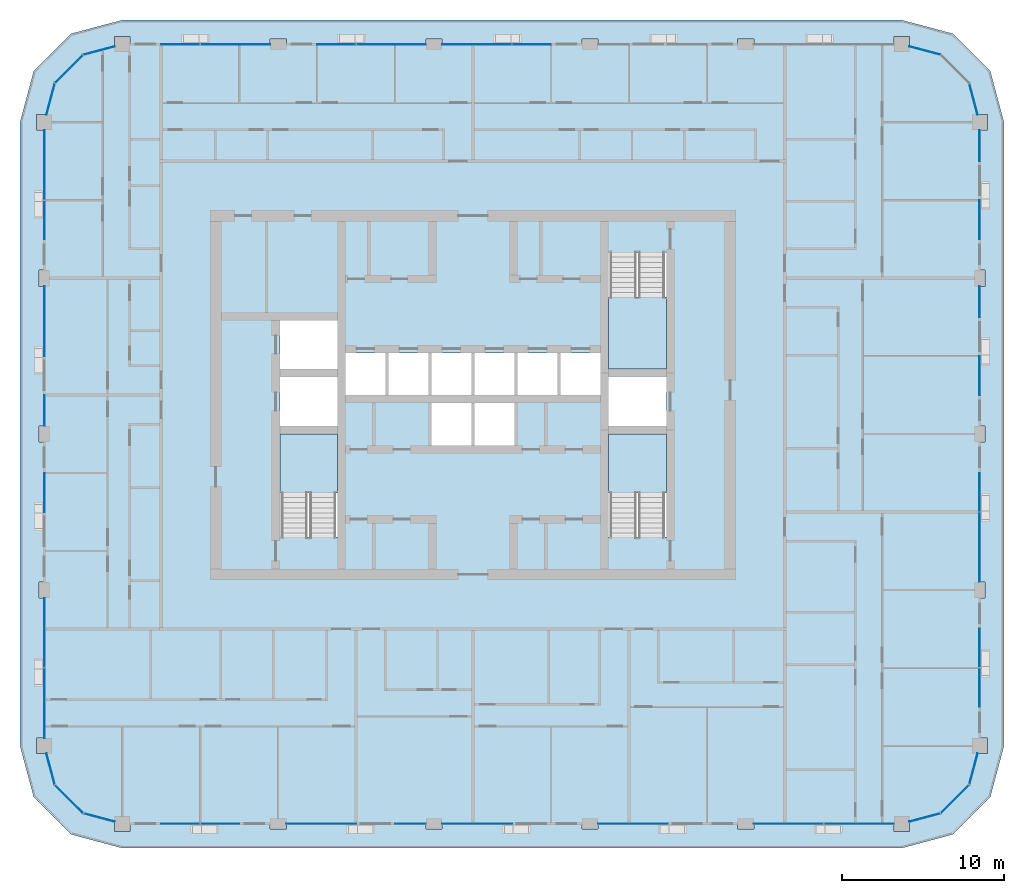
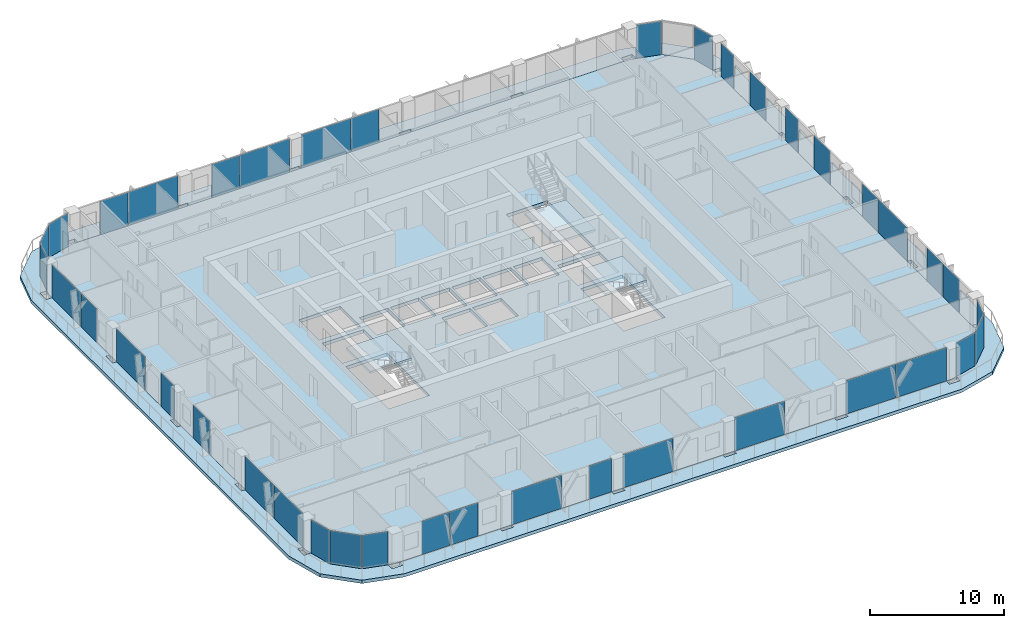
# One storey, part 7 of 22: 40 plates, 5 slabs, 23 elements without a shape of their own.
"""IFC4 building model written with IfcOpenShell, lengths in metres."""

from ifc_helpers import new_model, si_unit, direction, frame, origin, origin_2d, place, context, subcontext, project, spatial, polyline, rectangle, outline, extrude, material, layer, layer_set, type_object, element, aggregate, save


model = new_model("IFC4")

# Units and contexts
model_context = context("Model", 3, precision=1e-05, world=origin(), true_north=direction((0.0, 1.0)))
body_context = subcontext(model_context, "Body", "Model", "MODEL_VIEW")
ifc_project = project(units=[si_unit("LENGTHUNIT", "METRE"), si_unit("AREAUNIT", "SQUARE_METRE"), si_unit("VOLUMEUNIT", "CUBIC_METRE"), si_unit("PLANEANGLEUNIT", "RADIAN"), si_unit("MASSUNIT", "GRAM", prefix="KILO")], contexts=[model_context])

# Site, building, storey
site_placement = place(None, origin())
site = spatial("IfcSite", under=ifc_project, at=site_placement, CompositionType="ELEMENT")
building_placement = place(site_placement, origin())
building = spatial("IfcBuilding", under=site, at=building_placement, Name="Madar Terraces", CompositionType="ELEMENT")
storey_placement = place(building_placement, frame((0.0, 0.0, 199.89990234375)))
storey = spatial("IfcBuildingStorey", under=building, at=storey_placement, Name="L52", CompositionType="ELEMENT", Elevation=199.89990234375)

# Slabs
ifc_material_1 = material(Name="Concrete C50/60", Category="concrete")
ifc_layer_1 = layer(ifc_material_1, 0.300048828125)
ifc_layer_set_1 = layer_set([ifc_layer_1], Name="Balcony band 300")
slab_type_1 = type_object("IfcSlabType", Name="Balcony band 300", PredefinedType="FLOOR", material=ifc_layer_set_1)
slab_1_placement = place(storey_placement, frame((0.0, 0.0, -0.2998046875)))
element("IfcSlab", 1, at=slab_1_placement, inside=storey, type_object=slab_type_1, Name="Balcony band", PredefinedType="FLOOR", context=body_context, shape_type="SweptSolid", body=[
    extrude(outline(polyline([(9.60009765625, -1.5), (6.449951171875, -0.656005859375), (4.14404296875, 1.64990234375), (3.300048828125, 4.800048828125), (3.300048828125, 43.199951171875), (4.14404296875, 46.35009765625), (6.449951171875, 48.656005859375), (9.60009765625, 49.5), (57.60009765625, 49.5), (60.75, 48.656005859375), (63.055908203125, 46.35009765625), (63.89990234375, 43.199951171875), (63.89990234375, 4.800048828125), (63.055908203125, 1.64990234375), (60.75, -0.656005859375), (57.60009765625, -1.5), (9.60009765625, -1.5)]), holes=[polyline([(10.074951171875, -0.47509765625), (10.074951171875, 0.0), (18.699951171875, 0.0), (18.699951171875, -0.324951171875), (19.699951171875, -0.324951171875), (19.699951171875, 0.0), (28.300048828125, 0.0), (28.300048828125, -0.324951171875), (29.300048828125, -0.324951171875), (29.300048828125, 0.0), (37.89990234375, 0.0), (37.89990234375, -0.324951171875), (38.89990234375, -0.324951171875), (38.89990234375, 0.0), (47.5, 0.0), (47.5, -0.324951171875), (48.5, -0.324951171875), (48.5, 0.0), (57.125, 0.0), (57.125, -0.47509765625), (58.074951171875, -0.47509765625), (58.074951171875, 0.127197265625), (60.0, 0.64306640625), (61.7568359375, 2.39990234375), (62.272705078125, 4.324951171875), (62.875, 4.324951171875), (62.875, 5.27490234375), (62.39990234375, 5.27490234375), (62.39990234375, 13.89990234375), (62.72509765625, 13.89990234375), (62.72509765625, 14.89990234375), (62.39990234375, 14.89990234375), (62.39990234375, 23.5), (62.72509765625, 23.5), (62.72509765625, 24.5), (62.39990234375, 24.5), (62.39990234375, 33.10009765625), (62.72509765625, 33.10009765625), (62.72509765625, 34.10009765625), (62.39990234375, 34.10009765625), (62.39990234375, 42.72509765625), (62.875, 42.72509765625), (62.875, 43.675048828125), (62.272705078125, 43.675048828125), (61.7568359375, 45.60009765625), (60.0, 47.35693359375), (58.074951171875, 47.872802734375), (58.074951171875, 48.47509765625), (57.125, 48.47509765625), (57.125, 48.0), (48.5, 48.0), (48.5, 48.324951171875), (47.5, 48.324951171875), (47.5, 48.0), (38.89990234375, 48.0), (38.89990234375, 48.324951171875), (37.89990234375, 48.324951171875), (37.89990234375, 48.0), (29.300048828125, 48.0), (29.300048828125, 48.324951171875), (28.300048828125, 48.324951171875), (28.300048828125, 48.0), (19.699951171875, 48.0), (19.699951171875, 48.324951171875), (18.699951171875, 48.324951171875), (18.699951171875, 48.0), (10.074951171875, 48.0), (10.074951171875, 48.47509765625), (9.125, 48.47509765625), (9.125, 47.872802734375), (7.199951171875, 47.35693359375), (5.443115234375, 45.60009765625), (4.92724609375, 43.675048828125), (4.324951171875, 43.675048828125), (4.324951171875, 42.72509765625), (4.800048828125, 42.72509765625), (4.800048828125, 34.10009765625), (4.47509765625, 34.10009765625), (4.47509765625, 33.10009765625), (4.800048828125, 33.10009765625), (4.800048828125, 24.5), (4.47509765625, 24.5), (4.47509765625, 23.5), (4.800048828125, 23.5), (4.800048828125, 14.89990234375), (4.47509765625, 14.89990234375), (4.47509765625, 13.89990234375), (4.800048828125, 13.89990234375), (4.800048828125, 5.27490234375), (4.324951171875, 5.27490234375), (4.324951171875, 4.324951171875), (4.92724609375, 4.324951171875), (5.443115234375, 2.39990234375), (7.199951171875, 0.64306640625), (9.125, 0.127197265625), (9.125, -0.47509765625), (10.074951171875, -0.47509765625)])]), origin(), (0.0, 0.0, 1.0), 0.2998046875),
])
ifc_material_2 = material(Name="Concrete C50/60", Category="concrete")
ifc_layer_2 = layer(ifc_material_2, 0.300048828125)
ifc_layer_set_2 = layer_set([ifc_layer_2], Name="FS2 PT flat slab 300")
slab_type_2 = type_object("IfcSlabType", Name="FS2 PT flat slab 300", PredefinedType="FLOOR", material=ifc_layer_set_2)
slab_2_placement = place(storey_placement, frame((0.0, 0.0, -0.2998046875)))
element("IfcSlab", 2, at=slab_2_placement, inside=storey, type_object=slab_type_2, Name="Floor slab L52 (1)", PredefinedType="FLOOR", context=body_context, shape_type="SweptSolid", body=[
    extrude(outline(polyline([(57.60009765625, 0.0), (60.0, 0.64306640625), (61.7568359375, 2.39990234375), (62.39990234375, 4.800048828125), (62.39990234375, 43.199951171875), (61.7568359375, 45.60009765625), (60.0, 47.35693359375), (57.60009765625, 48.0), (9.60009765625, 48.0), (7.199951171875, 47.35693359375), (5.443115234375, 45.60009765625), (4.800048828125, 43.199951171875), (4.800048828125, 4.800048828125), (5.443115234375, 2.39990234375), (7.199951171875, 0.64306640625), (9.60009765625, 0.0), (57.60009765625, 0.0)]), holes=[polyline([(22.85009765625, 17.64990234375), (19.300048828125, 17.64990234375), (19.300048828125, 24.0), (22.85009765625, 24.0), (22.85009765625, 17.64990234375)]), polyline([(28.64990234375, 23.300048828125), (28.64990234375, 25.89990234375), (31.10009765625, 25.89990234375), (31.10009765625, 23.300048828125), (28.64990234375, 23.300048828125)]), polyline([(19.300048828125, 24.5), (19.300048828125, 27.5), (22.85009765625, 27.5), (22.85009765625, 24.5), (19.300048828125, 24.5)]), polyline([(23.35009765625, 26.39990234375), (23.35009765625, 29.0), (25.800048828125, 29.0), (25.800048828125, 26.39990234375), (23.35009765625, 26.39990234375)]), polyline([(26.0, 26.39990234375), (26.0, 29.0), (28.449951171875, 29.0), (28.449951171875, 26.39990234375), (26.0, 26.39990234375)]), polyline([(28.64990234375, 26.39990234375), (28.64990234375, 29.0), (31.10009765625, 29.0), (31.10009765625, 26.39990234375), (28.64990234375, 26.39990234375)]), polyline([(19.300048828125, 28.0), (19.300048828125, 31.0), (22.85009765625, 31.0), (22.85009765625, 28.0), (19.300048828125, 28.0)]), polyline([(43.10009765625, 17.64990234375), (39.550048828125, 17.64990234375), (39.550048828125, 24.0), (43.10009765625, 24.0), (43.10009765625, 17.64990234375)]), polyline([(31.300048828125, 23.300048828125), (31.300048828125, 25.89990234375), (33.75, 25.89990234375), (33.75, 23.300048828125), (31.300048828125, 23.300048828125)]), polyline([(39.550048828125, 24.5), (39.550048828125, 27.5), (43.10009765625, 27.5), (43.10009765625, 24.5), (39.550048828125, 24.5)]), polyline([(31.300048828125, 26.39990234375), (31.300048828125, 29.0), (33.75, 29.0), (33.75, 26.39990234375), (31.300048828125, 26.39990234375)]), polyline([(33.949951171875, 26.39990234375), (33.949951171875, 29.0), (36.39990234375, 29.0), (36.39990234375, 26.39990234375), (33.949951171875, 26.39990234375)]), polyline([(36.60009765625, 26.39990234375), (36.60009765625, 29.0), (39.050048828125, 29.0), (39.050048828125, 26.39990234375), (36.60009765625, 26.39990234375)]), polyline([(39.550048828125, 28.0), (39.550048828125, 35.14990234375), (43.10009765625, 35.14990234375), (43.10009765625, 28.0), (39.550048828125, 28.0)])]), origin(), (0.0, 0.0, 1.0), 0.2998046875),
])

# Curtain wall, plates
ifc_material_3 = material(Name="Glass, ceramic frit dark grey, with black aluminium frame", Category="aluminium")
ifc_layer_3 = layer(ifc_material_3, 0.199951171875)
ifc_layer_set_3 = layer_set([ifc_layer_3], Name="Facade curtain wall, fritted glass")
curtain_wall_type = type_object("IfcCurtainWallType", Name="Facade curtain wall, fritted glass", PredefinedType="NOTDEFINED", material=ifc_layer_set_3)
curtain_wall_1_placement = place(storey_placement, origin())
curtain_wall_1 = element("IfcCurtainWall", 3, at=curtain_wall_1_placement, inside=storey, type_object=curtain_wall_type, Name="Outer skin curtain wall south bay 1", PredefinedType="NOTDEFINED")
ifc_material_4 = material(Name="Glass, ceramic frit dark grey", Category="glass")
ifc_layer_4 = layer(ifc_material_4, 0.028076171875)
ifc_layer_set_4 = layer_set([ifc_layer_4], Name="Facade glass panel 28")
plate_type = type_object("IfcPlateType", Name="Facade glass panel 28", PredefinedType="CURTAIN_PANEL", material=ifc_layer_set_4)
plate_1_placement = place(storey_placement, frame((13.18505859375, 0.0, 0.0), z_axis=(0.0, 0.0, 1.0), x_axis=(1.0, 0.0, 0.0)))
plate_1 = element("IfcPlate", 4, at=plate_1_placement, type_object=plate_type, Name="Panel 1", PredefinedType="CURTAIN_PANEL", context=body_context, shape_type="SweptSolid", body=[
    extrude(rectangle(XDim=2.3701171875, YDim=0.028076171875, at=origin_2d()), origin(), (0.0, 0.0, 1.0), 3.0400390625),
])
plate_2_placement = place(storey_placement, frame((15.614990234375, 0.0, 0.0), z_axis=(0.0, 0.0, 1.0), x_axis=(1.0, 0.0, 0.0)))
plate_2 = element("IfcPlate", 5, at=plate_2_placement, type_object=plate_type, Name="Panel 2", PredefinedType="CURTAIN_PANEL", context=body_context, shape_type="SweptSolid", body=[
    extrude(rectangle(XDim=2.3701171875, YDim=0.028076171875, at=origin_2d()), origin(), (0.0, 0.0, 1.0), 3.0400390625),
])
aggregate(curtain_wall_1, [plate_1, plate_2])

curtain_wall_2_placement = place(storey_placement, origin())
curtain_wall_2 = element("IfcCurtainWall", 6, at=curtain_wall_2_placement, inside=storey, type_object=curtain_wall_type, Name="Outer skin curtain wall south bay 2", PredefinedType="NOTDEFINED")
plate_3_placement = place(storey_placement, frame((21.85009765625, 0.0, 0.0), z_axis=(0.0, 0.0, 1.0), x_axis=(1.0, 0.0, 0.0)))
plate_3 = element("IfcPlate", 7, at=plate_3_placement, type_object=plate_type, Name="Panel 1", PredefinedType="CURTAIN_PANEL", context=body_context, shape_type="SweptSolid", body=[
    extrude(rectangle(XDim=4.300048828125, YDim=0.028076171875, at=origin_2d()), origin(), (0.0, 0.0, 1.0), 3.0400390625),
])
plate_4_placement = place(storey_placement, frame((27.35009765625, 0.0, 0.0), z_axis=(0.0, 0.0, 1.0), x_axis=(1.0, 0.0, 0.0)))
plate_4 = element("IfcPlate", 8, at=plate_4_placement, type_object=plate_type, Name="Panel 2", PredefinedType="CURTAIN_PANEL", context=body_context, shape_type="SweptSolid", body=[
    extrude(rectangle(XDim=1.89990234375, YDim=0.028076171875, at=origin_2d()), origin(), (0.0, 0.0, 1.0), 3.0400390625),
])
aggregate(curtain_wall_2, [plate_3, plate_4])

# Curtain wall, plate
curtain_wall_3_placement = place(storey_placement, origin())
curtain_wall_3 = element("IfcCurtainWall", 9, at=curtain_wall_3_placement, inside=storey, type_object=curtain_wall_type, Name="Outer skin curtain wall south bay 3", PredefinedType="NOTDEFINED")
plate_5_placement = place(storey_placement, frame((31.449951171875, 0.0, 0.0), z_axis=(0.0, 0.0, 1.0), x_axis=(1.0, 0.0, 0.0)))
plate_5 = element("IfcPlate", 10, at=plate_5_placement, type_object=plate_type, Name="Panel 1", PredefinedType="CURTAIN_PANEL", context=body_context, shape_type="SweptSolid", body=[
    extrude(rectangle(XDim=4.300048828125, YDim=0.028076171875, at=origin_2d()), origin(), (0.0, 0.0, 1.0), 3.0400390625),
])
aggregate(curtain_wall_3, [plate_5])

curtain_wall_4_placement = place(storey_placement, origin())
curtain_wall_4 = element("IfcCurtainWall", 11, at=curtain_wall_4_placement, inside=storey, type_object=curtain_wall_type, Name="Outer skin curtain wall south bay 4", PredefinedType="NOTDEFINED")
plate_6_placement = place(storey_placement, frame((41.050048828125, 0.0, 0.0), z_axis=(0.0, 0.0, 1.0), x_axis=(1.0, 0.0, 0.0)))
plate_6 = element("IfcPlate", 12, at=plate_6_placement, type_object=plate_type, Name="Panel 1", PredefinedType="CURTAIN_PANEL", context=body_context, shape_type="SweptSolid", body=[
    extrude(rectangle(XDim=4.300048828125, YDim=0.028076171875, at=origin_2d()), origin(), (0.0, 0.0, 1.0), 3.0400390625),
])
aggregate(curtain_wall_4, [plate_6])

# Curtain wall, plates
curtain_wall_5_placement = place(storey_placement, origin())
curtain_wall_5 = element("IfcCurtainWall", 13, at=curtain_wall_5_placement, inside=storey, type_object=curtain_wall_type, Name="Outer skin curtain wall south bay 5", PredefinedType="NOTDEFINED")
plate_7_placement = place(storey_placement, frame((50.635009765625, 0.0, 0.0), z_axis=(0.0, 0.0, 1.0), x_axis=(1.0, 0.0, 0.0)))
plate_7 = element("IfcPlate", 14, at=plate_7_placement, type_object=plate_type, Name="Panel 1", PredefinedType="CURTAIN_PANEL", context=body_context, shape_type="SweptSolid", body=[
    extrude(rectangle(XDim=4.27001953125, YDim=0.028076171875, at=origin_2d()), origin(), (0.0, 0.0, 1.0), 3.0400390625),
])
plate_8_placement = place(storey_placement, frame((54.9775390625, 0.0, 0.0), z_axis=(0.0, 0.0, 1.0), x_axis=(1.0, 0.0, 0.0)))
plate_8 = element("IfcPlate", 15, at=plate_8_placement, type_object=plate_type, Name="Panel 2", PredefinedType="CURTAIN_PANEL", context=body_context, shape_type="SweptSolid", body=[
    extrude(rectangle(XDim=4.294921875, YDim=0.028076171875, at=origin_2d()), origin(), (0.0, 0.0, 1.0), 3.0400390625),
])
aggregate(curtain_wall_5, [plate_7, plate_8])

curtain_wall_6_placement = place(storey_placement, origin())
curtain_wall_6 = element("IfcCurtainWall", 16, at=curtain_wall_6_placement, inside=storey, type_object=curtain_wall_type, Name="Outer skin curtain wall east bay 1", PredefinedType="NOTDEFINED")
plate_9_placement = place(storey_placement, frame((62.39990234375, 8.385009765625, 0.0), z_axis=(0.0, 0.0, 1.0), x_axis=(0.0, 1.0, 0.0)))
plate_9 = element("IfcPlate", 17, at=plate_9_placement, type_object=plate_type, Name="Panel 1", PredefinedType="CURTAIN_PANEL", context=body_context, shape_type="SweptSolid", body=[
    extrude(rectangle(XDim=2.3701171875, YDim=0.028076171875, at=origin_2d()), origin(), (0.0, 0.0, 1.0), 3.0400390625),
])
plate_10_placement = place(storey_placement, frame((62.39990234375, 10.81494140625, 0.0), z_axis=(0.0, 0.0, 1.0), x_axis=(0.0, 1.0, 0.0)))
plate_10 = element("IfcPlate", 18, at=plate_10_placement, type_object=plate_type, Name="Panel 2", PredefinedType="CURTAIN_PANEL", context=body_context, shape_type="SweptSolid", body=[
    extrude(rectangle(XDim=2.3701171875, YDim=0.028076171875, at=origin_2d()), origin(), (0.0, 0.0, 1.0), 3.0400390625),
])
aggregate(curtain_wall_6, [plate_9, plate_10])

curtain_wall_7_placement = place(storey_placement, origin())
curtain_wall_7 = element("IfcCurtainWall", 19, at=curtain_wall_7_placement, inside=storey, type_object=curtain_wall_type, Name="Outer skin curtain wall east bay 2", PredefinedType="NOTDEFINED")
plate_11_placement = place(storey_placement, frame((62.39990234375, 17.034912109375, 0.0), z_axis=(0.0, 0.0, 1.0), x_axis=(0.0, 1.0, 0.0)))
plate_11 = element("IfcPlate", 20, at=plate_11_placement, type_object=plate_type, Name="Panel 1", PredefinedType="CURTAIN_PANEL", context=body_context, shape_type="SweptSolid", body=[
    extrude(rectangle(XDim=4.27001953125, YDim=0.028076171875, at=origin_2d()), origin(), (0.0, 0.0, 1.0), 3.0400390625),
])
plate_12_placement = place(storey_placement, frame((62.39990234375, 20.4150390625, 0.0), z_axis=(0.0, 0.0, 1.0), x_axis=(0.0, 1.0, 0.0)))
plate_12 = element("IfcPlate", 21, at=plate_12_placement, type_object=plate_type, Name="Panel 2", PredefinedType="CURTAIN_PANEL", context=body_context, shape_type="SweptSolid", body=[
    extrude(rectangle(XDim=2.3701171875, YDim=0.028076171875, at=origin_2d()), origin(), (0.0, 0.0, 1.0), 3.0400390625),
])
aggregate(curtain_wall_7, [plate_11, plate_12])

curtain_wall_8_placement = place(storey_placement, origin())
curtain_wall_8 = element("IfcCurtainWall", 22, at=curtain_wall_8_placement, inside=storey, type_object=curtain_wall_type, Name="Outer skin curtain wall east bay 3", PredefinedType="NOTDEFINED")
plate_13_placement = place(storey_placement, frame((62.39990234375, 27.60009765625, 0.0), z_axis=(0.0, 0.0, 1.0), x_axis=(0.0, 1.0, 0.0)))
plate_13 = element("IfcPlate", 23, at=plate_13_placement, type_object=plate_type, Name="Panel 1", PredefinedType="CURTAIN_PANEL", context=body_context, shape_type="SweptSolid", body=[
    extrude(rectangle(XDim=2.39990234375, YDim=0.028076171875, at=origin_2d()), origin(), (0.0, 0.0, 1.0), 3.0400390625),
])
plate_14_placement = place(storey_placement, frame((62.39990234375, 32.14990234375, 0.0), z_axis=(0.0, 0.0, 1.0), x_axis=(0.0, 1.0, 0.0)))
plate_14 = element("IfcPlate", 24, at=plate_14_placement, type_object=plate_type, Name="Panel 2", PredefinedType="CURTAIN_PANEL", context=body_context, shape_type="SweptSolid", body=[
    extrude(rectangle(XDim=1.89990234375, YDim=0.028076171875, at=origin_2d()), origin(), (0.0, 0.0, 1.0), 3.0400390625),
])
aggregate(curtain_wall_8, [plate_13, plate_14])

curtain_wall_9_placement = place(storey_placement, origin())
curtain_wall_9 = element("IfcCurtainWall", 25, at=curtain_wall_9_placement, inside=storey, type_object=curtain_wall_type, Name="Outer skin curtain wall east bay 4", PredefinedType="NOTDEFINED")
plate_15_placement = place(storey_placement, frame((62.39990234375, 37.199951171875, 0.0), z_axis=(0.0, 0.0, 1.0), x_axis=(0.0, 1.0, 0.0)))
plate_15 = element("IfcPlate", 26, at=plate_15_placement, type_object=plate_type, Name="Panel 1", PredefinedType="CURTAIN_PANEL", context=body_context, shape_type="SweptSolid", body=[
    extrude(rectangle(XDim=2.39990234375, YDim=0.028076171875, at=origin_2d()), origin(), (0.0, 0.0, 1.0), 3.0400390625),
])
plate_16_placement = place(storey_placement, frame((62.39990234375, 41.762451171875, 0.0), z_axis=(0.0, 0.0, 1.0), x_axis=(0.0, 1.0, 0.0)))
plate_16 = element("IfcPlate", 27, at=plate_16_placement, type_object=plate_type, Name="Panel 2", PredefinedType="CURTAIN_PANEL", context=body_context, shape_type="SweptSolid", body=[
    extrude(rectangle(XDim=1.925048828125, YDim=0.028076171875, at=origin_2d()), origin(), (0.0, 0.0, 1.0), 3.0400390625),
])
aggregate(curtain_wall_9, [plate_15, plate_16])

curtain_wall_10_placement = place(storey_placement, origin())
curtain_wall_10 = element("IfcCurtainWall", 28, at=curtain_wall_10_placement, inside=storey, type_object=curtain_wall_type, Name="Outer skin curtain wall north bay 3", PredefinedType="NOTDEFINED")
plate_17_placement = place(storey_placement, frame((34.81494140625, 48.0, 0.0), z_axis=(0.0, 0.0, 1.0), x_axis=(-1.0, 0.0, 0.0)))
plate_17 = element("IfcPlate", 29, at=plate_17_placement, type_object=plate_type, Name="Panel 1", PredefinedType="CURTAIN_PANEL", context=body_context, shape_type="SweptSolid", body=[
    extrude(rectangle(XDim=2.3701171875, YDim=0.028076171875, at=origin_2d()), origin(), (0.0, 0.0, 1.0), 3.0400390625),
])
plate_18_placement = place(storey_placement, frame((31.43505859375, 48.0, 0.0), z_axis=(0.0, 0.0, 1.0), x_axis=(-1.0, 0.0, 0.0)))
plate_18 = element("IfcPlate", 30, at=plate_18_placement, type_object=plate_type, Name="Panel 2", PredefinedType="CURTAIN_PANEL", context=body_context, shape_type="SweptSolid", body=[
    extrude(rectangle(XDim=4.27001953125, YDim=0.028076171875, at=origin_2d()), origin(), (0.0, 0.0, 1.0), 3.0400390625),
])
aggregate(curtain_wall_10, [plate_17, plate_18])

curtain_wall_11_placement = place(storey_placement, origin())
curtain_wall_11 = element("IfcCurtainWall", 31, at=curtain_wall_11_placement, inside=storey, type_object=curtain_wall_type, Name="Outer skin curtain wall north bay 4", PredefinedType="NOTDEFINED")
plate_19_placement = place(storey_placement, frame((26.1650390625, 48.0, 0.0), z_axis=(0.0, 0.0, 1.0), x_axis=(-1.0, 0.0, 0.0)))
plate_19 = element("IfcPlate", 32, at=plate_19_placement, type_object=plate_type, Name="Panel 1", PredefinedType="CURTAIN_PANEL", context=body_context, shape_type="SweptSolid", body=[
    extrude(rectangle(XDim=4.27001953125, YDim=0.028076171875, at=origin_2d()), origin(), (0.0, 0.0, 1.0), 3.0400390625),
])
plate_20_placement = place(storey_placement, frame((22.784912109375, 48.0, 0.0), z_axis=(0.0, 0.0, 1.0), x_axis=(-1.0, 0.0, 0.0)))
plate_20 = element("IfcPlate", 33, at=plate_20_placement, type_object=plate_type, Name="Panel 2", PredefinedType="CURTAIN_PANEL", context=body_context, shape_type="SweptSolid", body=[
    extrude(rectangle(XDim=2.3701171875, YDim=0.028076171875, at=origin_2d()), origin(), (0.0, 0.0, 1.0), 3.0400390625),
])
aggregate(curtain_wall_11, [plate_19, plate_20])

curtain_wall_12_placement = place(storey_placement, origin())
curtain_wall_12 = element("IfcCurtainWall", 34, at=curtain_wall_12_placement, inside=storey, type_object=curtain_wall_type, Name="Outer skin curtain wall north bay 5", PredefinedType="NOTDEFINED")
plate_21_placement = place(storey_placement, frame((16.56494140625, 48.0, 0.0), z_axis=(0.0, 0.0, 1.0), x_axis=(-1.0, 0.0, 0.0)))
plate_21 = element("IfcPlate", 35, at=plate_21_placement, type_object=plate_type, Name="Panel 1", PredefinedType="CURTAIN_PANEL", context=body_context, shape_type="SweptSolid", body=[
    extrude(rectangle(XDim=4.27001953125, YDim=0.028076171875, at=origin_2d()), origin(), (0.0, 0.0, 1.0), 3.0400390625),
])
plate_22_placement = place(storey_placement, frame((13.18505859375, 48.0, 0.0), z_axis=(0.0, 0.0, 1.0), x_axis=(-1.0, 0.0, 0.0)))
plate_22 = element("IfcPlate", 36, at=plate_22_placement, type_object=plate_type, Name="Panel 2", PredefinedType="CURTAIN_PANEL", context=body_context, shape_type="SweptSolid", body=[
    extrude(rectangle(XDim=2.3701171875, YDim=0.028076171875, at=origin_2d()), origin(), (0.0, 0.0, 1.0), 3.0400390625),
])
aggregate(curtain_wall_12, [plate_21, plate_22])

curtain_wall_13_placement = place(storey_placement, origin())
curtain_wall_13 = element("IfcCurtainWall", 37, at=curtain_wall_13_placement, inside=storey, type_object=curtain_wall_type, Name="Outer skin curtain wall west bay 1", PredefinedType="NOTDEFINED")
plate_23_placement = place(storey_placement, frame((4.800048828125, 40.577392578125, 0.0), z_axis=(0.0, 0.0, 1.0), x_axis=(0.0, -1.0, 0.0)))
plate_23 = element("IfcPlate", 38, at=plate_23_placement, type_object=plate_type, Name="Panel 1", PredefinedType="CURTAIN_PANEL", context=body_context, shape_type="SweptSolid", body=[
    extrude(rectangle(XDim=4.294921875, YDim=0.028076171875, at=origin_2d()), origin(), (0.0, 0.0, 1.0), 3.0400390625),
])
plate_24_placement = place(storey_placement, frame((4.800048828125, 37.18505859375, 0.0), z_axis=(0.0, 0.0, 1.0), x_axis=(0.0, -1.0, 0.0)))
plate_24 = element("IfcPlate", 39, at=plate_24_placement, type_object=plate_type, Name="Panel 2", PredefinedType="CURTAIN_PANEL", context=body_context, shape_type="SweptSolid", body=[
    extrude(rectangle(XDim=2.3701171875, YDim=0.028076171875, at=origin_2d()), origin(), (0.0, 0.0, 1.0), 3.0400390625),
])
aggregate(curtain_wall_13, [plate_23, plate_24])

curtain_wall_14_placement = place(storey_placement, origin())
curtain_wall_14 = element("IfcCurtainWall", 40, at=curtain_wall_14_placement, inside=storey, type_object=curtain_wall_type, Name="Outer skin curtain wall west bay 2", PredefinedType="NOTDEFINED")
plate_25_placement = place(storey_placement, frame((4.800048828125, 30.949951171875, 0.0), z_axis=(0.0, 0.0, 1.0), x_axis=(0.0, -1.0, 0.0)))
plate_25 = element("IfcPlate", 41, at=plate_25_placement, type_object=plate_type, Name="Panel 1", PredefinedType="CURTAIN_PANEL", context=body_context, shape_type="SweptSolid", body=[
    extrude(rectangle(XDim=4.300048828125, YDim=0.028076171875, at=origin_2d()), origin(), (0.0, 0.0, 1.0), 3.0400390625),
])
plate_26_placement = place(storey_placement, frame((4.800048828125, 25.449951171875, 0.0), z_axis=(0.0, 0.0, 1.0), x_axis=(0.0, -1.0, 0.0)))
plate_26 = element("IfcPlate", 42, at=plate_26_placement, type_object=plate_type, Name="Panel 2", PredefinedType="CURTAIN_PANEL", context=body_context, shape_type="SweptSolid", body=[
    extrude(rectangle(XDim=1.89990234375, YDim=0.028076171875, at=origin_2d()), origin(), (0.0, 0.0, 1.0), 3.0400390625),
])
aggregate(curtain_wall_14, [plate_25, plate_26])

# Curtain wall, plate
curtain_wall_15_placement = place(storey_placement, origin())
curtain_wall_15 = element("IfcCurtainWall", 43, at=curtain_wall_15_placement, inside=storey, type_object=curtain_wall_type, Name="Outer skin curtain wall west bay 3", PredefinedType="NOTDEFINED")
plate_27_placement = place(storey_placement, frame((4.800048828125, 20.39990234375, 0.0), z_axis=(0.0, 0.0, 1.0), x_axis=(0.0, -1.0, 0.0)))
plate_27 = element("IfcPlate", 44, at=plate_27_placement, type_object=plate_type, Name="Panel 1", PredefinedType="CURTAIN_PANEL", context=body_context, shape_type="SweptSolid", body=[
    extrude(rectangle(XDim=2.39990234375, YDim=0.028076171875, at=origin_2d()), origin(), (0.0, 0.0, 1.0), 3.0400390625),
])
aggregate(curtain_wall_15, [plate_27])

# Curtain wall, plates
curtain_wall_16_placement = place(storey_placement, origin())
curtain_wall_16 = element("IfcCurtainWall", 45, at=curtain_wall_16_placement, inside=storey, type_object=curtain_wall_type, Name="Outer skin curtain wall west bay 4", PredefinedType="NOTDEFINED")
plate_28_placement = place(storey_placement, frame((4.800048828125, 11.764892578125, 0.0), z_axis=(0.0, 0.0, 1.0), x_axis=(0.0, -1.0, 0.0)))
plate_28 = element("IfcPlate", 46, at=plate_28_placement, type_object=plate_type, Name="Panel 1", PredefinedType="CURTAIN_PANEL", context=body_context, shape_type="SweptSolid", body=[
    extrude(rectangle(XDim=4.27001953125, YDim=0.028076171875, at=origin_2d()), origin(), (0.0, 0.0, 1.0), 3.0400390625),
])
plate_29_placement = place(storey_placement, frame((4.800048828125, 7.422607421875, 0.0), z_axis=(0.0, 0.0, 1.0), x_axis=(0.0, -1.0, 0.0)))
plate_29 = element("IfcPlate", 47, at=plate_29_placement, type_object=plate_type, Name="Panel 2", PredefinedType="CURTAIN_PANEL", context=body_context, shape_type="SweptSolid", body=[
    extrude(rectangle(XDim=4.294921875, YDim=0.028076171875, at=origin_2d()), origin(), (0.0, 0.0, 1.0), 3.0400390625),
])
aggregate(curtain_wall_16, [plate_28, plate_29])

curtain_wall_17_placement = place(storey_placement, origin())
curtain_wall_17 = element("IfcCurtainWall", 48, at=curtain_wall_17_placement, inside=storey, type_object=curtain_wall_type, Name="Outer skin curtain wall south-east corner", PredefinedType="NOTDEFINED")
plate_30_placement = place(storey_placement, frame((59.02294921875, 0.38134765625, 0.0), z_axis=(0.0, 0.0, 1.0), x_axis=(0.965925832509, 0.258819021888, 0.0)))
plate_30 = element("IfcPlate", 49, at=plate_30_placement, type_object=plate_type, Name="Panel 1", PredefinedType="CURTAIN_PANEL", context=body_context, shape_type="SweptSolid", body=[
    extrude(rectangle(XDim=1.962890625, YDim=0.028076171875, at=origin_2d()), origin(), (0.0, 0.0, 1.0), 3.0400390625),
])
plate_31_placement = place(storey_placement, frame((60.87841796875, 1.521484375, 0.0), z_axis=(0.0, 0.0, 1.0), x_axis=(0.707106781187, 0.707106781187, 0.0)))
plate_31 = element("IfcPlate", 50, at=plate_31_placement, type_object=plate_type, Name="Panel 2", PredefinedType="CURTAIN_PANEL", context=body_context, shape_type="SweptSolid", body=[
    extrude(rectangle(XDim=2.424560546875, YDim=0.028076171875, at=origin_2d()), origin(), (0.0, 0.0, 1.0), 3.0400390625),
])
plate_32_placement = place(storey_placement, frame((62.018798828125, 3.376953125, 0.0), z_axis=(0.0, 0.0, 1.0), x_axis=(0.258819021888, 0.965925832509, 0.0)))
plate_32 = element("IfcPlate", 51, at=plate_32_placement, type_object=plate_type, Name="Panel 3", PredefinedType="CURTAIN_PANEL", context=body_context, shape_type="SweptSolid", body=[
    extrude(rectangle(XDim=1.962890625, YDim=0.028076171875, at=origin_2d()), origin(), (0.0, 0.0, 1.0), 3.0400390625),
])
aggregate(curtain_wall_17, [plate_30, plate_31, plate_32])

curtain_wall_18_placement = place(storey_placement, origin())
curtain_wall_18 = element("IfcCurtainWall", 52, at=curtain_wall_18_placement, inside=storey, type_object=curtain_wall_type, Name="Outer skin curtain wall north-east corner", PredefinedType="NOTDEFINED")
plate_33_placement = place(storey_placement, frame((62.018798828125, 44.623046875, 0.0), z_axis=(0.0, 0.0, 1.0), x_axis=(-0.258819021888, 0.965925832509, 0.0)))
plate_33 = element("IfcPlate", 53, at=plate_33_placement, type_object=plate_type, Name="Panel 1", PredefinedType="CURTAIN_PANEL", context=body_context, shape_type="SweptSolid", body=[
    extrude(rectangle(XDim=1.962890625, YDim=0.028076171875, at=origin_2d()), origin(), (0.0, 0.0, 1.0), 3.0400390625),
])
plate_34_placement = place(storey_placement, frame((59.02294921875, 47.61865234375, 0.0), z_axis=(0.0, 0.0, 1.0), x_axis=(-0.965925832509, 0.258819021888, 0.0)))
plate_34 = element("IfcPlate", 54, at=plate_34_placement, type_object=plate_type, Name="Panel 3", PredefinedType="CURTAIN_PANEL", context=body_context, shape_type="SweptSolid", body=[
    extrude(rectangle(XDim=1.962890625, YDim=0.028076171875, at=origin_2d()), origin(), (0.0, 0.0, 1.0), 3.0400390625),
])
aggregate(curtain_wall_18, [plate_33, plate_34])

curtain_wall_19_placement = place(storey_placement, origin())
curtain_wall_19 = element("IfcCurtainWall", 55, at=curtain_wall_19_placement, inside=storey, type_object=curtain_wall_type, Name="Outer skin curtain wall north-west corner", PredefinedType="NOTDEFINED")
plate_35_placement = place(storey_placement, frame((8.177001953125, 47.61865234375, 0.0), z_axis=(0.0, 0.0, 1.0), x_axis=(-0.965925832509, -0.258819021888, 0.0)))
plate_35 = element("IfcPlate", 56, at=plate_35_placement, type_object=plate_type, Name="Panel 1", PredefinedType="CURTAIN_PANEL", context=body_context, shape_type="SweptSolid", body=[
    extrude(rectangle(XDim=1.962890625, YDim=0.028076171875, at=origin_2d()), origin(), (0.0, 0.0, 1.0), 3.0400390625),
])
plate_36_placement = place(storey_placement, frame((6.321533203125, 46.478515625, 0.0), z_axis=(0.0, 0.0, 1.0), x_axis=(-0.707106781187, -0.707106781187, 0.0)))
plate_36 = element("IfcPlate", 57, at=plate_36_placement, type_object=plate_type, Name="Panel 2", PredefinedType="CURTAIN_PANEL", context=body_context, shape_type="SweptSolid", body=[
    extrude(rectangle(XDim=2.424560546875, YDim=0.028076171875, at=origin_2d()), origin(), (0.0, 0.0, 1.0), 3.0400390625),
])
plate_37_placement = place(storey_placement, frame((5.181396484375, 44.623046875, 0.0), z_axis=(0.0, 0.0, 1.0), x_axis=(-0.258819021888, -0.965925832509, 0.0)))
plate_37 = element("IfcPlate", 58, at=plate_37_placement, type_object=plate_type, Name="Panel 3", PredefinedType="CURTAIN_PANEL", context=body_context, shape_type="SweptSolid", body=[
    extrude(rectangle(XDim=1.962890625, YDim=0.028076171875, at=origin_2d()), origin(), (0.0, 0.0, 1.0), 3.0400390625),
])
aggregate(curtain_wall_19, [plate_35, plate_36, plate_37])

curtain_wall_20_placement = place(storey_placement, origin())
curtain_wall_20 = element("IfcCurtainWall", 59, at=curtain_wall_20_placement, inside=storey, type_object=curtain_wall_type, Name="Outer skin curtain wall south-west corner", PredefinedType="NOTDEFINED")
plate_38_placement = place(storey_placement, frame((5.181396484375, 3.376953125, 0.0), z_axis=(0.0, 0.0, 1.0), x_axis=(0.258819021888, -0.965925832509, 0.0)))
plate_38 = element("IfcPlate", 60, at=plate_38_placement, type_object=plate_type, Name="Panel 1", PredefinedType="CURTAIN_PANEL", context=body_context, shape_type="SweptSolid", body=[
    extrude(rectangle(XDim=1.962890625, YDim=0.028076171875, at=origin_2d()), origin(), (0.0, 0.0, 1.0), 3.0400390625),
])
plate_39_placement = place(storey_placement, frame((6.321533203125, 1.521484375, 0.0), z_axis=(0.0, 0.0, 1.0), x_axis=(0.707106781187, -0.707106781187, 0.0)))
plate_39 = element("IfcPlate", 61, at=plate_39_placement, type_object=plate_type, Name="Panel 2", PredefinedType="CURTAIN_PANEL", context=body_context, shape_type="SweptSolid", body=[
    extrude(rectangle(XDim=2.424560546875, YDim=0.028076171875, at=origin_2d()), origin(), (0.0, 0.0, 1.0), 3.0400390625),
])
plate_40_placement = place(storey_placement, frame((8.177001953125, 0.38134765625, 0.0), z_axis=(0.0, 0.0, 1.0), x_axis=(0.965925832509, -0.258819021888, 0.0)))
plate_40 = element("IfcPlate", 62, at=plate_40_placement, type_object=plate_type, Name="Panel 3", PredefinedType="CURTAIN_PANEL", context=body_context, shape_type="SweptSolid", body=[
    extrude(rectangle(XDim=1.962890625, YDim=0.028076171875, at=origin_2d()), origin(), (0.0, 0.0, 1.0), 3.0400390625),
])
aggregate(curtain_wall_20, [plate_38, plate_39, plate_40])

# Stair, slab
ifc_material_5 = material(Name="Concrete C50/60", Category="concrete")
stair_type_1 = type_object("IfcStairType", Name="Stair ST1 protected exit", PredefinedType="HALF_TURN_STAIR", material=ifc_material_5)
stair_1_placement = place(storey_placement, origin())
stair_1 = element("IfcStair", 63, at=stair_1_placement, inside=storey, type_object=stair_type_1, Name="L52 Protected Exit Stair ST1", PredefinedType="HALF_TURN_STAIR")
ifc_material_6 = material(Name="Concrete C50/60", Category="concrete")
ifc_layer_5 = layer(ifc_material_6, 0.199951171875)
ifc_layer_set_5 = layer_set([ifc_layer_5], Name="Stair landing 200, top +1.75")
slab_type_3 = type_object("IfcSlabType", Name="Stair landing 200, top +1.75", PredefinedType="LANDING", material=ifc_layer_set_5)
slab_3_placement = place(storey_placement, frame((0.0, 0.0, 1.550048828125)))
slab_3 = element("IfcSlab", 64, at=slab_3_placement, type_object=slab_type_3, Name="ST1 landing 1", PredefinedType="LANDING", context=body_context, shape_type="SweptSolid", body=[
    extrude(outline(polyline([(19.300048828125, 20.360107421875), (22.85009765625, 20.360107421875), (22.85009765625, 24.0), (19.300048828125, 24.0), (19.300048828125, 20.360107421875)])), origin(), (0.0, 0.0, 1.0), 0.199951171875),
])
aggregate(stair_1, [slab_3])

ifc_material_7 = material(Name="Concrete C50/60", Category="concrete")
stair_type_2 = type_object("IfcStairType", Name="Stair ST2 protected exit", PredefinedType="HALF_TURN_STAIR", material=ifc_material_7)
stair_2_placement = place(storey_placement, origin())
stair_2 = element("IfcStair", 65, at=stair_2_placement, inside=storey, type_object=stair_type_2, Name="L52 Protected Exit Stair ST2", PredefinedType="HALF_TURN_STAIR")
slab_4_placement = place(storey_placement, frame((0.0, 0.0, 1.550048828125)))
slab_4 = element("IfcSlab", 66, at=slab_4_placement, type_object=slab_type_3, Name="ST2 landing 1", PredefinedType="LANDING", context=body_context, shape_type="SweptSolid", body=[
    extrude(outline(polyline([(39.550048828125, 28.0), (43.10009765625, 28.0), (43.10009765625, 32.43994140625), (39.550048828125, 32.43994140625), (39.550048828125, 28.0)])), origin(), (0.0, 0.0, 1.0), 0.199951171875),
])
aggregate(stair_2, [slab_4])

ifc_material_8 = material(Name="Concrete C50/60", Category="concrete")
stair_type_3 = type_object("IfcStairType", Name="Stair ST3 protected exit", PredefinedType="HALF_TURN_STAIR", material=ifc_material_8)
stair_3_placement = place(storey_placement, origin())
stair_3 = element("IfcStair", 67, at=stair_3_placement, inside=storey, type_object=stair_type_3, Name="L52 Protected Exit Stair ST3", PredefinedType="HALF_TURN_STAIR")
slab_5_placement = place(storey_placement, frame((0.0, 0.0, 1.550048828125)))
slab_5 = element("IfcSlab", 68, at=slab_5_placement, type_object=slab_type_3, Name="ST3 landing 1", PredefinedType="LANDING", context=body_context, shape_type="SweptSolid", body=[
    extrude(outline(polyline([(39.550048828125, 20.360107421875), (43.10009765625, 20.360107421875), (43.10009765625, 24.0), (39.550048828125, 24.0), (39.550048828125, 20.360107421875)])), origin(), (0.0, 0.0, 1.0), 0.199951171875),
])
aggregate(stair_3, [slab_5])

save(model, "model.ifc")
